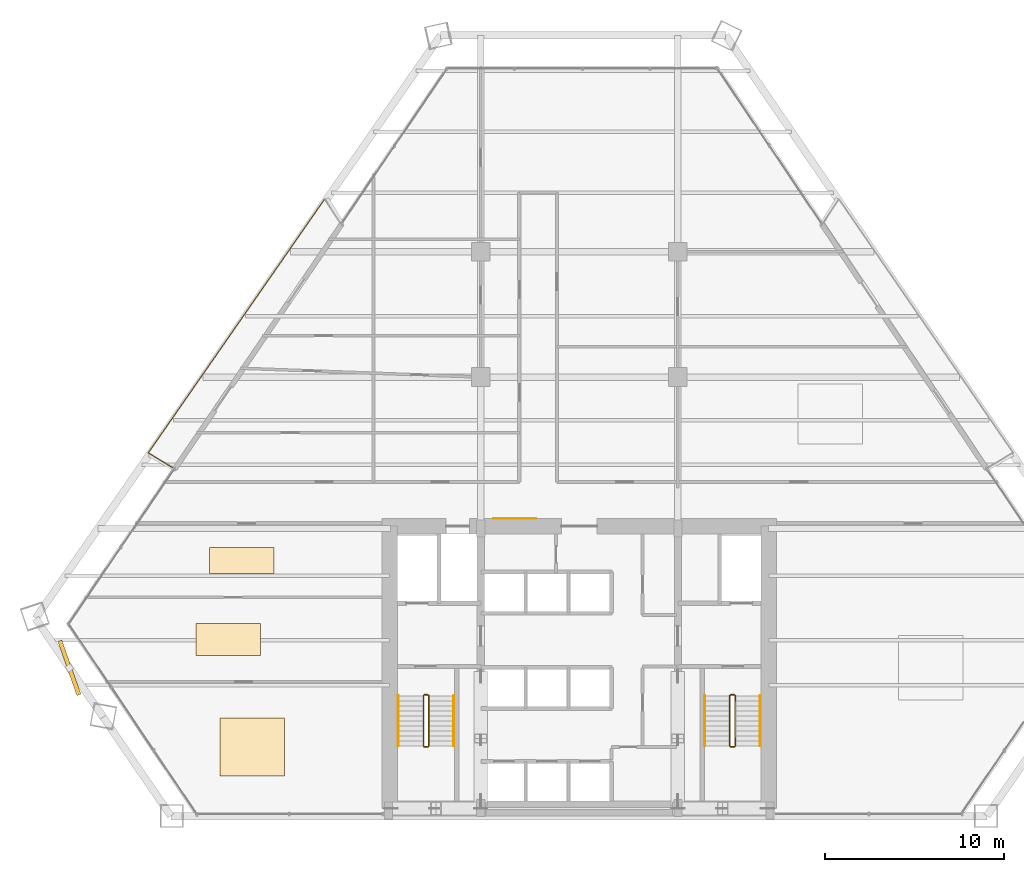
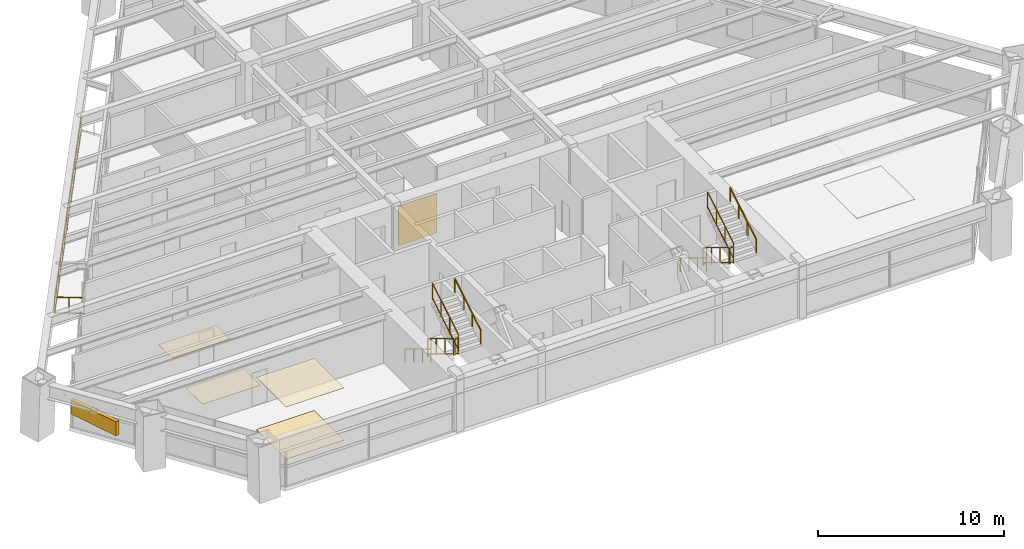
# One storey, part 13 of 14: 14 railings, 5 coverings, 1 shading device.
"""IFC4 building model written with IfcOpenShell, lengths in metres."""

from ifc_helpers import new_model, si_unit, direction, frame, origin, origin_2d, place, context, subcontext, project, spatial, rectangle, extrude, source, transform, mapped, material, layer, layer_set, type_object, type_shapes, element, save


model = new_model("IFC4")

# Units and contexts
model_context = context("Model", 3, precision=1e-05, world=origin(), true_north=direction((0.0, 1.0)))
body_context = subcontext(model_context, "Body", "Model", "MODEL_VIEW")
ifc_project = project(units=[si_unit("LENGTHUNIT", "METRE"), si_unit("AREAUNIT", "SQUARE_METRE"), si_unit("VOLUMEUNIT", "CUBIC_METRE"), si_unit("PLANEANGLEUNIT", "RADIAN"), si_unit("MASSUNIT", "GRAM", prefix="KILO")], contexts=[model_context])

# Site, building, storey
site_placement = place(None, origin())
site = spatial("IfcSite", under=ifc_project, at=site_placement, CompositionType="ELEMENT")
building_placement = place(site_placement, origin())
building = spatial("IfcBuilding", under=site, at=building_placement, Name="Varnakhor Terracotta Tower", CompositionType="ELEMENT")
storey_placement = place(building_placement, frame((0.0, 0.0, 42.300048828125)))
storey = spatial("IfcBuildingStorey", under=building, at=storey_placement, Name="L09", CompositionType="ELEMENT", Elevation=42.300048828125)

# Railings
ifc_material_1 = material(Name="Stainless Steel & Laminated Glass Guardrail", Category="steel")
railing_type_1 = type_object("IfcRailingType", Name="RLG-LOGGIA-GUARD-1150", PredefinedType="GUARDRAIL", material=ifc_material_1)
railing_1_placement = place(storey_placement, frame((-22.7021484375, 19.44091796875, 0.0)))
element("IfcRailing", 1, at=railing_1_placement, inside=storey, type_object=railing_type_1, Name="L09 W Loggia Glass Guard 1", PredefinedType="GUARDRAIL", context=body_context, shape_type="SweptSolid", body=[
    extrude(rectangle(XDim=0.048095703125, YDim=0.048095703125, at=origin_2d()), frame((0.0, 0.0, 1.1259765625), z_axis=(-0.851837377129, 0.523806341052, 0.0), x_axis=(-0.523806341052, -0.851837377129, 0.0)), (0.0, 0.0, 1.0), 1.59130859375),
    extrude(rectangle(XDim=0.048095703125, YDim=0.048095703125, at=origin_2d()), frame((0.0, 0.0, 0.10009765625), z_axis=(-0.851837377129, 0.523806341052, 0.0), x_axis=(-0.523806341052, -0.851837377129, 0.0)), (0.0, 0.0, 1.0), 1.59130859375),
    extrude(rectangle(XDim=0.0419921875, YDim=0.0419921875, at=origin_2d()), origin(), (0.0, 0.0, 1.0), 1.101806640625),
    extrude(rectangle(XDim=0.0419921875, YDim=0.0419921875, at=origin_2d()), frame((-0.677734375, 0.416748046875, 0.0)), (0.0, 0.0, 1.0), 1.101806640625),
    extrude(rectangle(XDim=0.0419921875, YDim=0.0419921875, at=origin_2d()), frame((-1.35546875, 0.83349609375, 0.0)), (0.0, 0.0, 1.0), 1.101806640625),
])
railing_2_placement = place(storey_placement, frame((-24.0576171875, 20.2744140625, 0.0)))
element("IfcRailing", 2, at=railing_2_placement, inside=storey, type_object=railing_type_1, Name="L09 W Loggia Glass Guard 2", PredefinedType="GUARDRAIL", context=body_context, shape_type="SweptSolid", body=[
    extrude(rectangle(XDim=0.048095703125, YDim=0.048095703125, at=origin_2d()), frame((0.0, 0.0, 1.1259765625), z_axis=(0.570622774665, 0.821212304483, 0.0), x_axis=(-0.821212304483, 0.570622774665, 0.0)), (0.0, 0.0, 1.0), 17.23388671875),
    extrude(rectangle(XDim=0.048095703125, YDim=0.048095703125, at=origin_2d()), frame((0.0, 0.0, 0.10009765625), z_axis=(0.570622774665, 0.821212304483, 0.0), x_axis=(-0.821212304483, 0.570622774665, 0.0)), (0.0, 0.0, 1.0), 17.23388671875),
    extrude(rectangle(XDim=0.0419921875, YDim=0.0419921875, at=origin_2d()), origin(), (0.0, 0.0, 1.0), 1.101806640625),
    extrude(rectangle(XDim=0.0419921875, YDim=0.0419921875, at=origin_2d()), frame((0.75634765625, 1.088623046875, 0.0)), (0.0, 0.0, 1.0), 1.101806640625),
    extrude(rectangle(XDim=0.0419921875, YDim=0.0419921875, at=origin_2d()), frame((1.512939453125, 2.17724609375, 0.0)), (0.0, 0.0, 1.0), 1.101806640625),
    extrude(rectangle(XDim=0.0419921875, YDim=0.0419921875, at=origin_2d()), frame((2.269287109375, 3.265869140625, 0.0)), (0.0, 0.0, 1.0), 1.101806640625),
    extrude(rectangle(XDim=0.0419921875, YDim=0.0419921875, at=origin_2d()), frame((3.02587890625, 4.354736328125, 0.0)), (0.0, 0.0, 1.0), 1.101806640625),
    extrude(rectangle(XDim=0.0419921875, YDim=0.0419921875, at=origin_2d()), frame((3.7822265625, 5.443359375, 0.0)), (0.0, 0.0, 1.0), 1.101806640625),
    extrude(rectangle(XDim=0.0419921875, YDim=0.0419921875, at=origin_2d()), frame((4.538818359375, 6.531982421875, 0.0)), (0.0, 0.0, 1.0), 1.101806640625),
    extrude(rectangle(XDim=0.0419921875, YDim=0.0419921875, at=origin_2d()), frame((5.295166015625, 7.62060546875, 0.0)), (0.0, 0.0, 1.0), 1.101806640625),
    extrude(rectangle(XDim=0.0419921875, YDim=0.0419921875, at=origin_2d()), frame((6.0517578125, 8.709228515625, 0.0)), (0.0, 0.0, 1.0), 1.101806640625),
    extrude(rectangle(XDim=0.0419921875, YDim=0.0419921875, at=origin_2d()), frame((6.80810546875, 9.7978515625, 0.0)), (0.0, 0.0, 1.0), 1.101806640625),
    extrude(rectangle(XDim=0.0419921875, YDim=0.0419921875, at=origin_2d()), frame((7.564697265625, 10.88671875, 0.0)), (0.0, 0.0, 1.0), 1.101806640625),
    extrude(rectangle(XDim=0.0419921875, YDim=0.0419921875, at=origin_2d()), frame((8.321044921875, 11.975341796875, 0.0)), (0.0, 0.0, 1.0), 1.101806640625),
    extrude(rectangle(XDim=0.0419921875, YDim=0.0419921875, at=origin_2d()), frame((9.07763671875, 13.06396484375, 0.0)), (0.0, 0.0, 1.0), 1.101806640625),
    extrude(rectangle(XDim=0.0419921875, YDim=0.0419921875, at=origin_2d()), frame((9.833984375, 14.152587890625, 0.0)), (0.0, 0.0, 1.0), 1.101806640625),
])
ifc_material_2 = material(Name="Painted Steel Stairwell Guardrail", Category="steel")
railing_type_2 = type_object("IfcRailingType", Name="RLG-STAIR-GUARD-1120", PredefinedType="GUARDRAIL", material=ifc_material_2)
railing_3_placement = place(storey_placement, frame((-8.699951171875, 6.7099609375, 0.168212890625)))
element("IfcRailing", 3, at=railing_3_placement, inside=storey, type_object=railing_type_2, Name="L09 ST-1 stair guard 1", PredefinedType="GUARDRAIL", context=body_context, shape_type="SweptSolid", body=[
    extrude(rectangle(XDim=0.048095703125, YDim=0.048095703125, at=origin_2d()), frame((0.0, 0.0, 1.09619140625), z_axis=(0.0, -0.857275202839, 0.514858452973), x_axis=(1.0, 0.0, 0.0)), (0.0, 0.0, 1.0), 3.26611328125),
    extrude(rectangle(XDim=0.048095703125, YDim=0.048095703125, at=origin_2d()), frame((0.0, 0.0, 0.10009765625), z_axis=(0.0, -0.857275202839, 0.514858452973), x_axis=(1.0, 0.0, 0.0)), (0.0, 0.0, 1.0), 3.26611328125),
    extrude(rectangle(XDim=0.0419921875, YDim=0.0419921875, at=origin_2d()), origin(), (0.0, 0.0, 1.0), 1.072021484375),
    extrude(rectangle(XDim=0.0419921875, YDim=0.0419921875, at=origin_2d()), frame((0.0, -0.933349609375, 0.560546875)), (0.0, 0.0, 1.0), 1.072021484375),
    extrude(rectangle(XDim=0.0419921875, YDim=0.0419921875, at=origin_2d()), frame((0.0, -1.86669921875, 1.12109375)), (0.0, 0.0, 1.0), 1.072021484375),
    extrude(rectangle(XDim=0.0419921875, YDim=0.0419921875, at=origin_2d()), frame((0.0, -2.800048828125, 1.681640625)), (0.0, 0.0, 1.0), 1.072021484375),
])
railing_4_placement = place(storey_placement, frame((-8.64990234375, 3.860107421875, 1.849853515625)))
element("IfcRailing", 4, at=railing_4_placement, inside=storey, type_object=railing_type_2, Name="L09 ST-1 stair guard 2", PredefinedType="GUARDRAIL", context=body_context, shape_type="SweptSolid", body=[
    extrude(rectangle(XDim=0.048095703125, YDim=0.048095703125, at=origin_2d()), frame((0.0, 0.0, 1.09619140625), z_axis=(1.0, 0.0, 0.0), x_axis=(0.0, 1.0, 0.0)), (0.0, 0.0, 1.0), 0.199951171875),
    extrude(rectangle(XDim=0.048095703125, YDim=0.048095703125, at=origin_2d()), frame((0.0, 0.0, 0.10009765625), z_axis=(1.0, 0.0, 0.0), x_axis=(0.0, 1.0, 0.0)), (0.0, 0.0, 1.0), 0.199951171875),
    extrude(rectangle(XDim=0.0419921875, YDim=0.0419921875, at=origin_2d()), origin(), (0.0, 0.0, 1.0), 1.072021484375),
    extrude(rectangle(XDim=0.0419921875, YDim=0.0419921875, at=origin_2d()), frame((0.199951171875, 0.0, 0.0)), (0.0, 0.0, 1.0), 1.072021484375),
])
railing_5_placement = place(storey_placement, frame((-8.39990234375, 3.909912109375, 2.01806640625)))
element("IfcRailing", 5, at=railing_5_placement, inside=storey, type_object=railing_type_2, Name="L09 ST-1 stair guard 3", PredefinedType="GUARDRAIL", context=body_context, shape_type="SweptSolid", body=[
    extrude(rectangle(XDim=0.048095703125, YDim=0.048095703125, at=origin_2d()), frame((0.0, 0.0, 1.09619140625), z_axis=(0.0, 0.857242210791, 0.514913383045), x_axis=(-1.0, 0.0, 0.0)), (0.0, 0.0, 1.0), 3.266357421875),
    extrude(rectangle(XDim=0.048095703125, YDim=0.048095703125, at=origin_2d()), frame((0.0, 0.0, 0.10009765625), z_axis=(0.0, 0.857242210791, 0.514913383045), x_axis=(-1.0, 0.0, 0.0)), (0.0, 0.0, 1.0), 3.266357421875),
    extrude(rectangle(XDim=0.0419921875, YDim=0.0419921875, at=origin_2d()), origin(), (0.0, 0.0, 1.0), 1.072021484375),
    extrude(rectangle(XDim=0.0419921875, YDim=0.0419921875, at=origin_2d()), frame((0.0, 0.933349609375, 0.560546875)), (0.0, 0.0, 1.0), 1.072021484375),
    extrude(rectangle(XDim=0.0419921875, YDim=0.0419921875, at=origin_2d()), frame((0.0, 1.86669921875, 1.121337890625)), (0.0, 0.0, 1.0), 1.072021484375),
    extrude(rectangle(XDim=0.0419921875, YDim=0.0419921875, at=origin_2d()), frame((0.0, 2.800048828125, 1.681884765625)), (0.0, 0.0, 1.0), 1.072021484375),
])
railing_6_placement = place(storey_placement, frame((-8.64990234375, 6.760009765625, 0.0)))
element("IfcRailing", 6, at=railing_6_placement, inside=storey, type_object=railing_type_2, Name="L09 ST-1 stair guard 4", PredefinedType="GUARDRAIL", context=body_context, shape_type="SweptSolid", body=[
    extrude(rectangle(XDim=0.048095703125, YDim=0.048095703125, at=origin_2d()), frame((0.0, 0.0, 1.09619140625), z_axis=(1.0, 0.0, 0.0), x_axis=(0.0, 1.0, 0.0)), (0.0, 0.0, 1.0), 0.199951171875),
    extrude(rectangle(XDim=0.048095703125, YDim=0.048095703125, at=origin_2d()), frame((0.0, 0.0, 0.10009765625), z_axis=(1.0, 0.0, 0.0), x_axis=(0.0, 1.0, 0.0)), (0.0, 0.0, 1.0), 0.199951171875),
    extrude(rectangle(XDim=0.0419921875, YDim=0.0419921875, at=origin_2d()), origin(), (0.0, 0.0, 1.0), 1.072021484375),
    extrude(rectangle(XDim=0.0419921875, YDim=0.0419921875, at=origin_2d()), frame((0.199951171875, 0.0, 0.0)), (0.0, 0.0, 1.0), 1.072021484375),
])
railing_7_placement = place(storey_placement, frame((8.39990234375, 6.7099609375, 0.168212890625)))
element("IfcRailing", 7, at=railing_7_placement, inside=storey, type_object=railing_type_2, Name="L09 ST-2 stair guard 1", PredefinedType="GUARDRAIL", context=body_context, shape_type="SweptSolid", body=[
    extrude(rectangle(XDim=0.048095703125, YDim=0.048095703125, at=origin_2d()), frame((0.0, 0.0, 1.09619140625), z_axis=(0.0, -0.857275202839, 0.514858452973), x_axis=(1.0, 0.0, 0.0)), (0.0, 0.0, 1.0), 3.26611328125),
    extrude(rectangle(XDim=0.048095703125, YDim=0.048095703125, at=origin_2d()), frame((0.0, 0.0, 0.10009765625), z_axis=(0.0, -0.857275202839, 0.514858452973), x_axis=(1.0, 0.0, 0.0)), (0.0, 0.0, 1.0), 3.26611328125),
    extrude(rectangle(XDim=0.0419921875, YDim=0.0419921875, at=origin_2d()), origin(), (0.0, 0.0, 1.0), 1.072021484375),
    extrude(rectangle(XDim=0.0419921875, YDim=0.0419921875, at=origin_2d()), frame((0.0, -0.933349609375, 0.560546875)), (0.0, 0.0, 1.0), 1.072021484375),
    extrude(rectangle(XDim=0.0419921875, YDim=0.0419921875, at=origin_2d()), frame((0.0, -1.86669921875, 1.12109375)), (0.0, 0.0, 1.0), 1.072021484375),
    extrude(rectangle(XDim=0.0419921875, YDim=0.0419921875, at=origin_2d()), frame((0.0, -2.800048828125, 1.681640625)), (0.0, 0.0, 1.0), 1.072021484375),
])
railing_8_placement = place(storey_placement, frame((8.449951171875, 3.860107421875, 1.849853515625)))
element("IfcRailing", 8, at=railing_8_placement, inside=storey, type_object=railing_type_2, Name="L09 ST-2 stair guard 2", PredefinedType="GUARDRAIL", context=body_context, shape_type="SweptSolid", body=[
    extrude(rectangle(XDim=0.048095703125, YDim=0.048095703125, at=origin_2d()), frame((0.0, 0.0, 1.09619140625), z_axis=(1.0, 0.0, 0.0), x_axis=(0.0, 1.0, 0.0)), (0.0, 0.0, 1.0), 0.199951171875),
    extrude(rectangle(XDim=0.048095703125, YDim=0.048095703125, at=origin_2d()), frame((0.0, 0.0, 0.10009765625), z_axis=(1.0, 0.0, 0.0), x_axis=(0.0, 1.0, 0.0)), (0.0, 0.0, 1.0), 0.199951171875),
    extrude(rectangle(XDim=0.0419921875, YDim=0.0419921875, at=origin_2d()), origin(), (0.0, 0.0, 1.0), 1.072021484375),
    extrude(rectangle(XDim=0.0419921875, YDim=0.0419921875, at=origin_2d()), frame((0.199951171875, 0.0, 0.0)), (0.0, 0.0, 1.0), 1.072021484375),
])
railing_9_placement = place(storey_placement, frame((8.699951171875, 3.909912109375, 2.01806640625)))
element("IfcRailing", 9, at=railing_9_placement, inside=storey, type_object=railing_type_2, Name="L09 ST-2 stair guard 3", PredefinedType="GUARDRAIL", context=body_context, shape_type="SweptSolid", body=[
    extrude(rectangle(XDim=0.048095703125, YDim=0.048095703125, at=origin_2d()), frame((0.0, 0.0, 1.09619140625), z_axis=(0.0, 0.857242210791, 0.514913383045), x_axis=(-1.0, 0.0, 0.0)), (0.0, 0.0, 1.0), 3.266357421875),
    extrude(rectangle(XDim=0.048095703125, YDim=0.048095703125, at=origin_2d()), frame((0.0, 0.0, 0.10009765625), z_axis=(0.0, 0.857242210791, 0.514913383045), x_axis=(-1.0, 0.0, 0.0)), (0.0, 0.0, 1.0), 3.266357421875),
    extrude(rectangle(XDim=0.0419921875, YDim=0.0419921875, at=origin_2d()), origin(), (0.0, 0.0, 1.0), 1.072021484375),
    extrude(rectangle(XDim=0.0419921875, YDim=0.0419921875, at=origin_2d()), frame((0.0, 0.933349609375, 0.560546875)), (0.0, 0.0, 1.0), 1.072021484375),
    extrude(rectangle(XDim=0.0419921875, YDim=0.0419921875, at=origin_2d()), frame((0.0, 1.86669921875, 1.121337890625)), (0.0, 0.0, 1.0), 1.072021484375),
    extrude(rectangle(XDim=0.0419921875, YDim=0.0419921875, at=origin_2d()), frame((0.0, 2.800048828125, 1.681884765625)), (0.0, 0.0, 1.0), 1.072021484375),
])
railing_10_placement = place(storey_placement, frame((8.449951171875, 6.760009765625, 0.0)))
element("IfcRailing", 10, at=railing_10_placement, inside=storey, type_object=railing_type_2, Name="L09 ST-2 stair guard 4", PredefinedType="GUARDRAIL", context=body_context, shape_type="SweptSolid", body=[
    extrude(rectangle(XDim=0.048095703125, YDim=0.048095703125, at=origin_2d()), frame((0.0, 0.0, 1.09619140625), z_axis=(1.0, 0.0, 0.0), x_axis=(0.0, 1.0, 0.0)), (0.0, 0.0, 1.0), 0.199951171875),
    extrude(rectangle(XDim=0.048095703125, YDim=0.048095703125, at=origin_2d()), frame((0.0, 0.0, 0.10009765625), z_axis=(1.0, 0.0, 0.0), x_axis=(0.0, 1.0, 0.0)), (0.0, 0.0, 1.0), 0.199951171875),
    extrude(rectangle(XDim=0.0419921875, YDim=0.0419921875, at=origin_2d()), origin(), (0.0, 0.0, 1.0), 1.072021484375),
    extrude(rectangle(XDim=0.0419921875, YDim=0.0419921875, at=origin_2d()), frame((0.199951171875, 0.0, 0.0)), (0.0, 0.0, 1.0), 1.072021484375),
])
ifc_material_3 = material(Name="Brushed Stainless Steel Handrail", Category="steel")
railing_type_3 = type_object("IfcRailingType", Name="RLG-STAIR-HANDRAIL-920", PredefinedType="HANDRAIL", material=ifc_material_3)
railing_11_placement = place(storey_placement, frame((-10.10009765625, 6.7099609375, 0.168212890625)))
element("IfcRailing", 11, at=railing_11_placement, inside=storey, type_object=railing_type_3, Name="L09 ST-1 stair handrail 1", PredefinedType="HANDRAIL", context=body_context, shape_type="SweptSolid", body=[
    extrude(rectangle(XDim=0.048095703125, YDim=0.048095703125, at=origin_2d()), frame((0.0, 0.0, 0.89599609375), z_axis=(0.0, -0.857275202839, 0.514858452973), x_axis=(1.0, 0.0, 0.0)), (0.0, 0.0, 1.0), 3.26611328125),
    extrude(rectangle(XDim=0.0419921875, YDim=0.0419921875, at=origin_2d()), origin(), (0.0, 0.0, 1.0), 0.871826171875),
    extrude(rectangle(XDim=0.0419921875, YDim=0.0419921875, at=origin_2d()), frame((0.0, -0.933349609375, 0.560546875)), (0.0, 0.0, 1.0), 0.871826171875),
    extrude(rectangle(XDim=0.0419921875, YDim=0.0419921875, at=origin_2d()), frame((0.0, -1.86669921875, 1.12109375)), (0.0, 0.0, 1.0), 0.871826171875),
    extrude(rectangle(XDim=0.0419921875, YDim=0.0419921875, at=origin_2d()), frame((0.0, -2.800048828125, 1.681640625)), (0.0, 0.0, 1.0), 0.871826171875),
])
railing_12_placement = place(storey_placement, frame((-7.0, 3.909912109375, 2.01806640625)))
element("IfcRailing", 12, at=railing_12_placement, inside=storey, type_object=railing_type_3, Name="L09 ST-1 stair handrail 2", PredefinedType="HANDRAIL", context=body_context, shape_type="SweptSolid", body=[
    extrude(rectangle(XDim=0.048095703125, YDim=0.048095703125, at=origin_2d()), frame((0.0, 0.0, 0.89599609375), z_axis=(0.0, 0.857242210791, 0.514913383045), x_axis=(-1.0, 0.0, 0.0)), (0.0, 0.0, 1.0), 3.266357421875),
    extrude(rectangle(XDim=0.0419921875, YDim=0.0419921875, at=origin_2d()), origin(), (0.0, 0.0, 1.0), 0.871826171875),
    extrude(rectangle(XDim=0.0419921875, YDim=0.0419921875, at=origin_2d()), frame((0.0, 0.933349609375, 0.560546875)), (0.0, 0.0, 1.0), 0.871826171875),
    extrude(rectangle(XDim=0.0419921875, YDim=0.0419921875, at=origin_2d()), frame((0.0, 1.86669921875, 1.121337890625)), (0.0, 0.0, 1.0), 0.871826171875),
    extrude(rectangle(XDim=0.0419921875, YDim=0.0419921875, at=origin_2d()), frame((0.0, 2.800048828125, 1.681884765625)), (0.0, 0.0, 1.0), 0.871826171875),
])
railing_13_placement = place(storey_placement, frame((7.0, 6.7099609375, 0.168212890625)))
element("IfcRailing", 13, at=railing_13_placement, inside=storey, type_object=railing_type_3, Name="L09 ST-2 stair handrail 1", PredefinedType="HANDRAIL", context=body_context, shape_type="SweptSolid", body=[
    extrude(rectangle(XDim=0.048095703125, YDim=0.048095703125, at=origin_2d()), frame((0.0, 0.0, 0.89599609375), z_axis=(0.0, -0.857275202839, 0.514858452973), x_axis=(1.0, 0.0, 0.0)), (0.0, 0.0, 1.0), 3.26611328125),
    extrude(rectangle(XDim=0.0419921875, YDim=0.0419921875, at=origin_2d()), origin(), (0.0, 0.0, 1.0), 0.871826171875),
    extrude(rectangle(XDim=0.0419921875, YDim=0.0419921875, at=origin_2d()), frame((0.0, -0.933349609375, 0.560546875)), (0.0, 0.0, 1.0), 0.871826171875),
    extrude(rectangle(XDim=0.0419921875, YDim=0.0419921875, at=origin_2d()), frame((0.0, -1.86669921875, 1.12109375)), (0.0, 0.0, 1.0), 0.871826171875),
    extrude(rectangle(XDim=0.0419921875, YDim=0.0419921875, at=origin_2d()), frame((0.0, -2.800048828125, 1.681640625)), (0.0, 0.0, 1.0), 0.871826171875),
])
railing_14_placement = place(storey_placement, frame((10.10009765625, 3.909912109375, 2.01806640625)))
element("IfcRailing", 14, at=railing_14_placement, inside=storey, type_object=railing_type_3, Name="L09 ST-2 stair handrail 2", PredefinedType="HANDRAIL", context=body_context, shape_type="SweptSolid", body=[
    extrude(rectangle(XDim=0.048095703125, YDim=0.048095703125, at=origin_2d()), frame((0.0, 0.0, 0.89599609375), z_axis=(0.0, 0.857242210791, 0.514913383045), x_axis=(-1.0, 0.0, 0.0)), (0.0, 0.0, 1.0), 3.266357421875),
    extrude(rectangle(XDim=0.0419921875, YDim=0.0419921875, at=origin_2d()), origin(), (0.0, 0.0, 1.0), 0.871826171875),
    extrude(rectangle(XDim=0.0419921875, YDim=0.0419921875, at=origin_2d()), frame((0.0, 0.933349609375, 0.560546875)), (0.0, 0.0, 1.0), 0.871826171875),
    extrude(rectangle(XDim=0.0419921875, YDim=0.0419921875, at=origin_2d()), frame((0.0, 1.86669921875, 1.121337890625)), (0.0, 0.0, 1.0), 0.871826171875),
    extrude(rectangle(XDim=0.0419921875, YDim=0.0419921875, at=origin_2d()), frame((0.0, 2.800048828125, 1.681884765625)), (0.0, 0.0, 1.0), 0.871826171875),
])

# Shading device
ifc_material_4 = material(Name="Extruded Architectural Terracotta Screen", Category="masonry")
shading_device_type = type_object("IfcShadingDeviceType", Name="TERRACOTTA SOLAR SCREEN W", PredefinedType="USERDEFINED", material=ifc_material_4)
shared_shape_1 = source(origin(), body_context, "Body", "SweptSolid", [
    extrude(rectangle(XDim=3.199951171875, YDim=0.239990234375, at=origin_2d()), origin(), (0.0, 0.0, 1.0), 0.919921875),
])
type_shapes(shading_device_type, [shared_shape_1])
shading_device_placement = place(storey_placement, frame((-28.465087890625, 8.27197265625, 1.617919921875), z_axis=(0.0, 0.0, 1.0), x_axis=(0.332309288854, -0.943170470563, 0.0)))
element("IfcShadingDevice", 15, at=shading_device_placement, inside=storey, type_object=shading_device_type, Name="L09 W Terracotta Solar Screen", ObjectType="SCREEN", PredefinedType="USERDEFINED", context=body_context, shape_type="MappedRepresentation", body=[
    mapped(shared_shape_1, transform((0.0, 0.0, 0.0), scale=1.0)),
])

# Coverings
ifc_material_5 = material(Name="Extruded Architectural Terracotta Cladding", Category="masonry")
ifc_layer_1 = layer(ifc_material_5, 0.044921875, Name="Extruded Architectural Terracotta Cladding")
ifc_layer_set_1 = layer_set([ifc_layer_1], Name="Extruded Architectural Terracotta Cladding")
covering_type_1 = type_object("IfcCoveringType", Name="COV-CLAD-TERRACOTTA", PredefinedType="CLADDING", material=ifc_layer_set_1)
shared_shape_2 = source(origin(), body_context, "Body", "SweptSolid", [
    extrude(rectangle(XDim=2.39990234375, YDim=0.030029296875, at=origin_2d()), origin(), (0.0, 0.0, 1.0), 2.60009765625),
])
type_shapes(covering_type_1, [shared_shape_2])
covering_1_placement = place(storey_placement, frame((-3.60009765625, 16.612060546875, 0.0), z_axis=(0.0, 0.0, 1.0), x_axis=(1.0, 0.0, 0.0)))
element("IfcCovering", 16, at=covering_1_placement, inside=storey, type_object=covering_type_1, Name="L09 Core Lobby Limestone Cladding", PredefinedType="CLADDING", context=body_context, shape_type="MappedRepresentation", body=[
    mapped(shared_shape_2, transform((0.0, 0.0, 0.0), scale=1.0)),
])
ifc_material_6 = material(Name="Honed Riyadh Limestone Flooring", Category="masonry")
ifc_layer_2 = layer(ifc_material_6, 0.030029296875, Name="Honed Riyadh Limestone Flooring")
ifc_layer_set_2 = layer_set([ifc_layer_2], Name="Honed Riyadh Limestone Flooring")
covering_type_2 = type_object("IfcCoveringType", Name="COV-FLOOR-LIMESTONE", PredefinedType="FLOORING", material=ifc_layer_set_2)
shared_shape_3 = source(origin(), body_context, "Body", "SweptSolid", [
    extrude(rectangle(XDim=3.60009765625, YDim=3.214111328125, at=origin_2d()), origin(), (0.0, 0.0, 1.0), 0.02001953125),
])
covering_2_placement = place(storey_placement, frame((-18.264892578125, 3.85205078125, 0.0), z_axis=(0.0, 0.0, 1.0), x_axis=(1.0, 0.0, 0.0)))
element("IfcCovering", 17, at=covering_2_placement, inside=storey, type_object=covering_type_2, Name="L09 Honed Stone Flooring 1", PredefinedType="FLOORING", context=body_context, shape_type="MappedRepresentation", body=[
    mapped(shared_shape_3, transform((0.0, 0.0, 0.0), scale=1.0)),
])
ifc_material_7 = material(Name="Perforated Acoustic Mineral-Fibre Ceiling", Category="gypsum")
ifc_layer_3 = layer(ifc_material_7, 0.02490234375, Name="Perforated Acoustic Mineral-Fibre Ceiling")
ifc_layer_set_3 = layer_set([ifc_layer_3], Name="Perforated Acoustic Mineral-Fibre Ceiling")
covering_type_3 = type_object("IfcCoveringType", Name="COV-CEILING-ACOUSTIC", PredefinedType="CEILING", material=ifc_layer_set_3)
shared_shape_4 = source(origin(), body_context, "Body", "SweptSolid", [
    extrude(rectangle(XDim=3.60009765625, YDim=3.214111328125, at=origin_2d()), origin(), (0.0, 0.0, 1.0), 0.02392578125),
])
covering_3_placement = place(storey_placement, frame((-18.264892578125, 3.85205078125, 3.426025390625), z_axis=(0.0, 0.0, 1.0), x_axis=(1.0, 0.0, 0.0)))
element("IfcCovering", 18, at=covering_3_placement, inside=storey, type_object=covering_type_3, Name="L09 Acoustic Ceiling Panel 1", PredefinedType="CEILING", context=body_context, shape_type="MappedRepresentation", body=[
    mapped(shared_shape_4, transform((0.0, 0.0, 0.0), scale=1.0)),
])
shared_shape_5 = source(origin(), body_context, "Body", "SweptSolid", [
    extrude(rectangle(XDim=3.60009765625, YDim=1.785888671875, at=origin_2d()), origin(), (0.0, 0.0, 1.0), 0.02001953125),
])
covering_4_placement = place(storey_placement, frame((-19.594970703125, 9.85009765625, 0.0), z_axis=(0.0, 0.0, 1.0), x_axis=(1.0, 0.0, 0.0)))
element("IfcCovering", 19, at=covering_4_placement, inside=storey, type_object=covering_type_2, Name="L09 Honed Stone Flooring 3", PredefinedType="FLOORING", context=body_context, shape_type="MappedRepresentation", body=[
    mapped(shared_shape_5, transform((0.0, 0.0, 0.0), scale=1.0)),
])
shared_shape_6 = source(origin(), body_context, "Body", "SweptSolid", [
    extrude(rectangle(XDim=3.60009765625, YDim=1.471923828125, at=origin_2d()), origin(), (0.0, 0.0, 1.0), 0.02001953125),
])
covering_5_placement = place(storey_placement, frame((-18.843994140625, 14.263916015625, 0.0), z_axis=(0.0, 0.0, 1.0), x_axis=(1.0, 0.0, 0.0)))
element("IfcCovering", 20, at=covering_5_placement, inside=storey, type_object=covering_type_2, Name="L09 Honed Stone Flooring 4", PredefinedType="FLOORING", context=body_context, shape_type="MappedRepresentation", body=[
    mapped(shared_shape_6, transform((0.0, 0.0, 0.0), scale=1.0)),
])

save(model, "model.ifc")
